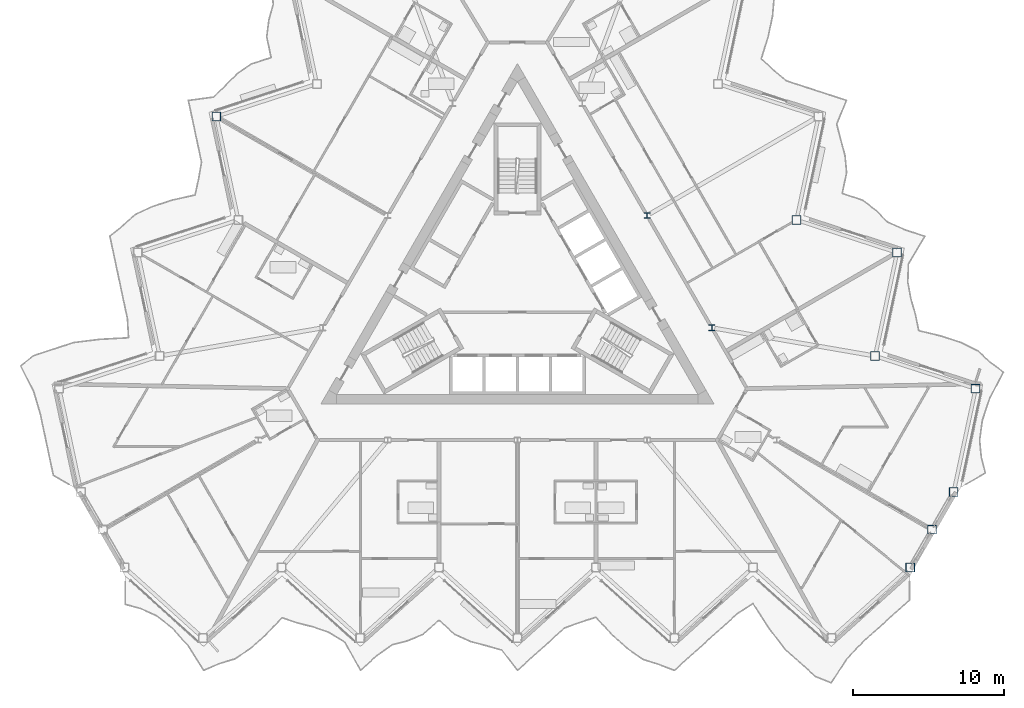
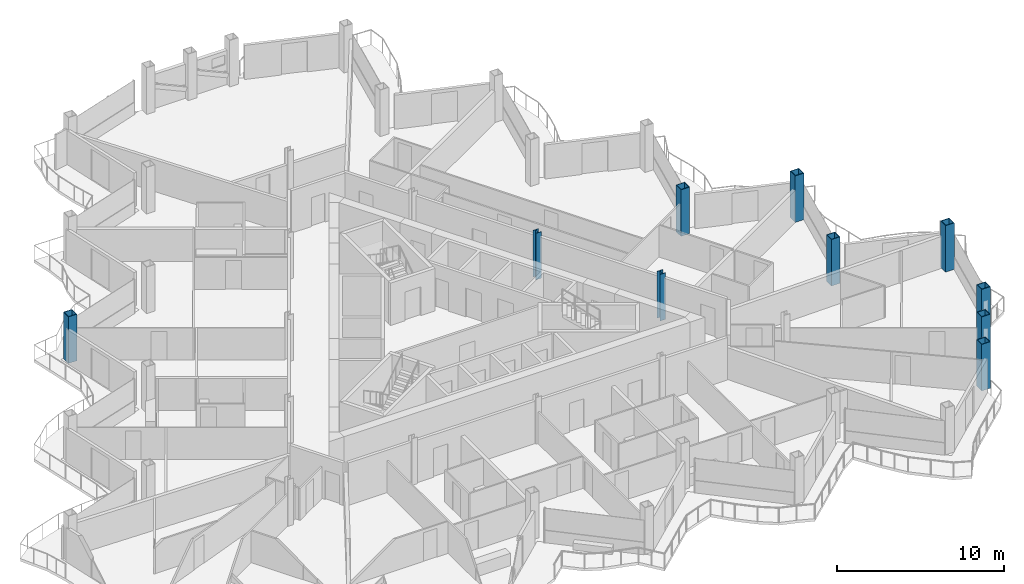
# One storey, part 2 of 27: 10 columns.
"""IFC4 building model written with IfcOpenShell, lengths in metres."""

import ifcopenshell
import ifcopenshell.guid

model = None  # the IFC model being written
_history = None  # IfcOwnerHistory: only IFC2X3 demands one
_inside = {}  # id of a spatial element -> (the spatial element, [elements in it])
_under = {}  # id of a project, library or spatial element -> (it, [spatial elements below it])
_declared = {}  # id of a project -> (the project, [libraries it declares])
_typed = {}  # id of a type object -> (the type object, [elements of that type])
_made_of = {}  # id of a material, layer set ... -> (it, [elements and type objects made of it])


def new_model(schema):
    """Start an empty IFC model of exactly this schema.

    Asked for "IFC4X3", IfcOpenShell would pick the latest addendum, in which some entities
    have other attributes; the version numbers below select the first issue.
    IFC2X3 requires an IfcOwnerHistory on every rooted entity: one is made here for all.
    """
    global model, _history
    if schema == "IFC4X3":
        model = ifcopenshell.file(schema_version=(4, 3, 0, 0))
    else:
        model = ifcopenshell.file(schema=schema)
    _inside.clear()
    _under.clear()
    _declared.clear()
    _typed.clear()
    _made_of.clear()
    _history = None
    if model.schema == "IFC2X3":
        org = make("IfcOrganization", Name="unknown")
        user = make(
            "IfcPersonAndOrganization",
            ThePerson=make("IfcPerson", FamilyName="unknown"),
            TheOrganization=org,
        )
        app = make(
            "IfcApplication",
            ApplicationDeveloper=org,
            Version="unknown",
            ApplicationFullName="unknown",
            ApplicationIdentifier="unknown",
        )
        _history = make(
            "IfcOwnerHistory",
            OwningUser=user,
            OwningApplication=app,
            ChangeAction="ADDED",
            CreationDate=0,
        )
    return model


def make(cls, **values):
    """One entity of the class cls with the attributes given. An attribute that is None is left unset."""
    return model.create_entity(
        cls, **{name: value for name, value in values.items() if value is not None}
    )


def rooted(cls, **values):
    """An entity with a GlobalId (a new one), such as an element, a storey or a relation."""
    return make(cls, GlobalId=ifcopenshell.guid.new(), OwnerHistory=_history, **values)


def si_unit(unit_type, name, prefix=None):
    """IfcSIUnit, for example si_unit("LENGTHUNIT", "METRE", prefix="MILLI")."""
    return make("IfcSIUnit", UnitType=unit_type, Prefix=prefix, Name=name)


def assignment(units):
    """IfcUnitAssignment: the units of a project."""
    return None if units is None else make("IfcUnitAssignment", Units=units)


def point(xyz):
    """IfcCartesianPoint."""
    return None if xyz is None else make("IfcCartesianPoint", Coordinates=xyz)


def direction(xyz):
    """IfcDirection."""
    return None if xyz is None else make("IfcDirection", DirectionRatios=xyz)


def frame(location, z_axis=None, x_axis=None):
    """IfcAxis2Placement3D, a coordinate frame: its origin and axes. An axis left out is left unset."""
    return make(
        "IfcAxis2Placement3D",
        Location=point(location),
        Axis=direction(z_axis),
        RefDirection=direction(x_axis),
    )


def frame_2d(location, x_axis=None):
    """IfcAxis2Placement2D, a coordinate frame in the plane: its origin and x axis."""
    return make(
        "IfcAxis2Placement2D", Location=point(location), RefDirection=direction(x_axis)
    )


def origin():
    """The frame at (0, 0, 0) with its axes left unset."""
    return frame((0.0, 0.0, 0.0))


def origin_2d():
    """The frame at (0, 0) in the plane with its x axis left unset."""
    return frame_2d((0.0, 0.0))


def place(relative_to, where):
    """IfcLocalPlacement: puts the frame where relative to a parent placement (None: the world)."""
    return make(
        "IfcLocalPlacement", PlacementRelTo=relative_to, RelativePlacement=where
    )


def context(
    kind, dimensions, precision=None, world=None, true_north=None, identifier=None
):
    """IfcGeometricRepresentationContext, for example the 3D "Model" context."""
    return make(
        "IfcGeometricRepresentationContext",
        ContextIdentifier=identifier,
        ContextType=kind,
        CoordinateSpaceDimension=dimensions,
        Precision=precision,
        WorldCoordinateSystem=world,
        TrueNorth=true_north,
    )


def subcontext(parent, identifier, kind, view, scale=None):
    """IfcGeometricRepresentationSubContext, for example "Body" below "Model"."""
    return make(
        "IfcGeometricRepresentationSubContext",
        ContextIdentifier=identifier,
        ContextType=kind,
        ParentContext=parent,
        TargetScale=scale,
        TargetView=view,
    )


def project(units=None, contexts=None):
    """IfcProject with its units and contexts."""
    return rooted(
        "IfcProject",
        Name="project",
        RepresentationContexts=contexts,
        UnitsInContext=assignment(units),
    )


def spatial(cls, under=None, at=None, **own):
    """A site, building, storey or space (cls), placed at a placement, below another one or the project."""
    s = rooted(cls, ObjectPlacement=at, **own)
    if under is not None:
        _under.setdefault(under.id(), (under, []))[1].append(s)
    return s


def profile(cls, at=None, kind="AREA", **sizes):
    """A parametric profile (cls). Its sizes go by their IFC names, for example OverallWidth=200.0."""
    return make(cls, ProfileType=kind, Position=at, **sizes)


def hollow_rectangle(**sizes):
    """IfcRectangleHollowProfileDef."""
    return profile("IfcRectangleHollowProfileDef", **sizes)


def i_section(**sizes):
    """IfcIShapeProfileDef."""
    return profile("IfcIShapeProfileDef", **sizes)


def extrude(swept, where, along, depth):
    """IfcExtrudedAreaSolid: the profile swept, set in the frame where, extruded along a direction by depth."""
    return make(
        "IfcExtrudedAreaSolid",
        SweptArea=swept,
        Position=where,
        ExtrudedDirection=direction(along),
        Depth=depth,
    )


def shape(context_of_items, identifier, shape_type, items):
    """IfcShapeRepresentation: the items that make up one representation, for example the "Body"."""
    return make(
        "IfcShapeRepresentation",
        ContextOfItems=context_of_items,
        RepresentationIdentifier=identifier,
        RepresentationType=shape_type,
        Items=items,
    )


def material(Name=None, Category=None):
    """IfcMaterial."""
    return make("IfcMaterial", Name=Name, Category=Category)


def material_profile(
    of_material, cross_section, Name=None, Category=None, Priority=None
):
    """IfcMaterialProfile: a cross section and its material."""
    return make(
        "IfcMaterialProfile",
        Name=Name,
        Material=of_material,
        Profile=cross_section,
        Priority=Priority,
        Category=Category,
    )


def profile_set(profiles, Name=None, composite=None):
    """IfcMaterialProfileSet."""
    return make(
        "IfcMaterialProfileSet",
        Name=Name,
        MaterialProfiles=profiles,
        CompositeProfile=composite,
    )


def made_of(thing, what):
    """Note that an element or type object is made of a material, layer set ...; save() writes the relation."""
    if what is not None:
        _made_of.setdefault(what.id(), (what, []))[1].append(thing)
    return thing


def type_object(cls, material=None, **own):
    """A type object (cls), such as IfcWallType, which elements share."""
    return made_of(rooted(cls, **own), material)


def element(
    cls,
    number,
    at=None,
    inside=None,
    cuts=None,
    type_object=None,
    material=None,
    context=None,
    identifier="Body",
    shape_type=None,
    held_by="IfcProductDefinitionShape",
    body=None,
    shapes=None,
    **own,
):
    """One element of the class cls, such as IfcWall. Its Tag is "e" and its number.

    at: its placement. inside: the storey or other place that contains it. cuts: it is an
    opening in that element (IfcRelVoidsElement). A single representation is given by context,
    identifier, shape_type and body (its items); several are given by shapes. held_by: the class
    of the entity that holds the representations. save() writes the other relations.
    """
    e = rooted(cls, Tag="e%d" % number, ObjectPlacement=at, **own)
    if body is not None:
        shapes = [shape(context, identifier, shape_type, body)]
    if shapes is not None:
        e.Representation = make(held_by, Representations=shapes)
    if inside is not None:
        _inside.setdefault(inside.id(), (inside, []))[1].append(e)
    if cuts is not None:
        rooted(
            "IfcRelVoidsElement", RelatingBuildingElement=cuts, RelatedOpeningElement=e
        )
    if type_object is not None:
        _typed.setdefault(type_object.id(), (type_object, []))[1].append(e)
    return made_of(e, material)


def aggregate(whole, parts):
    """IfcRelAggregates: a whole, such as a stair, and the parts it consists of."""
    return rooted("IfcRelAggregates", RelatingObject=whole, RelatedObjects=parts)


def save(model, path):
    """Write the relations noted so far, then the file.

    IfcRelAggregates (storeys below a building ...), IfcRelContainedInSpatialStructure (elements
    in a storey), IfcRelDefinesByType, IfcRelAssociatesMaterial and IfcRelDeclares: one each for
    every whole, place, type object, material and project.
    """
    for whole, parts in _under.values():
        aggregate(whole, parts)
    for where, things in _inside.values():
        rooted(
            "IfcRelContainedInSpatialStructure",
            RelatedElements=things,
            RelatingStructure=where,
        )
    for kind, things in _typed.values():
        rooted("IfcRelDefinesByType", RelatedObjects=things, RelatingType=kind)
    for what, things in _made_of.values():
        rooted("IfcRelAssociatesMaterial", RelatedObjects=things, RelatingMaterial=what)
    for by, libraries in _declared.values():
        rooted("IfcRelDeclares", RelatingContext=by, RelatedDefinitions=libraries)
    model.write(path)


model = new_model("IFC4")

# Units and contexts
model_context = context("Model", 3, precision=1e-05, world=origin(), true_north=direction((0.0, 1.0)))
body_context = subcontext(model_context, "Body", "Model", "MODEL_VIEW")
ifc_project = project(units=[si_unit("LENGTHUNIT", "METRE"), si_unit("AREAUNIT", "SQUARE_METRE"), si_unit("VOLUMEUNIT", "CUBIC_METRE"), si_unit("PLANEANGLEUNIT", "RADIAN"), si_unit("MASSUNIT", "GRAM", prefix="KILO")], contexts=[model_context])

# Site, building, storey
site_placement = place(None, origin())
site = spatial("IfcSite", under=ifc_project, at=site_placement, CompositionType="ELEMENT")
building_placement = place(site_placement, origin())
building = spatial("IfcBuilding", under=site, at=building_placement, Name="Cormorant Prow Tower", CompositionType="ELEMENT")
storey_placement = place(building_placement, frame((0.0, 0.0, 312.0)))
storey = spatial("IfcBuildingStorey", under=building, at=storey_placement, Name="L68", CompositionType="ELEMENT", Elevation=312.0)

# Columns
ifc_material_1 = material(Name="Structural steel ASTM A572 Gr 50", Category="steel")
ifc_material_profile_1 = material_profile(ifc_material_1, hollow_rectangle(XDim=0.60009765625, YDim=0.60009765625, WallThickness=0.0400390625, at=origin_2d()), Name="Box 600x600x40")
ifc_profile_set_1 = profile_set([ifc_material_profile_1], Name="Structural steel ASTM A572 Gr 50")
column_type_1 = type_object("IfcColumnType", Name="Perimeter box column 600x600x40", PredefinedType="COLUMN", material=ifc_profile_set_1)
for number, where, z_axis, x_axis, name in (
    (1, (25.995361328125, -18.326904296875, 0.0), (0.0, 0.0, 1.0), (1.0, 0.0, 0.0), "Perimeter column C6 at ESE00 L68"),
    (2, (27.432373046875, -15.838134765625, 0.0), (0.0, 0.0, 1.0), (1.0, 0.0, 0.0), "Perimeter column C6 at ESE01 L68"),
    (3, (28.869140625, -13.349365234375, 0.0), (0.0, 0.0, 1.0), (1.0, 0.0, 0.0), "Perimeter column C6 at ENE00 L68"),
    (4, (30.32373046875, -6.506103515625, 0.0), (0.0, 0.0, 1.0), (1.0, 0.0, 0.0), "Perimeter column C6 at ENE01 L68"),
    (5, (23.670166015625, -4.34423828125, 0.0), (0.0, 0.0, 1.0), (1.0, 0.0, 0.0), "Perimeter column C6 at ENE02 L68"),
    (6, (25.124755859375, 2.4990234375, 0.0), (0.0, 0.0, 1.0), (1.0, 0.0, 0.0), "Perimeter column C6 at ENE03 L68"),
    (7, (18.470947265625, 4.660888671875, 0.0), (0.0, 0.0, 1.0), (1.0, 0.0, 0.0), "Perimeter column C6 at ENE04 L68"),
    (8, (-19.925537109375, 11.504150390625, 0.0), (0.0, 0.0, 1.0), (1.0, 0.0, 0.0), "Perimeter column C6 at WNW05 L68"),
):
    element("IfcColumn", number, at=place(storey_placement, frame(where, z_axis=z_axis, x_axis=x_axis)), inside=storey, type_object=column_type_1, Name=name, PredefinedType="COLUMN", context=body_context, shape_type="SweptSolid", body=[
        extrude(hollow_rectangle(XDim=0.60009765625, YDim=0.60009765625, WallThickness=0.0400390625, at=origin_2d()), origin(), (0.0, 0.0, 1.0), 3.39990234375),
    ])
ifc_material_2 = material(Name="Structural steel ASTM A992 Gr 50", Category="steel")
ifc_material_profile_2 = material_profile(ifc_material_2, i_section(OverallWidth=0.3955078125, OverallDepth=0.380615234375, WebThickness=0.018798828125, FlangeThickness=0.0302734375, at=origin_2d()), Name="W14x159")
ifc_profile_set_2 = profile_set([ifc_material_profile_2], Name="Structural steel ASTM A992 Gr 50")
column_type_2 = type_object("IfcColumnType", Name="Ring column W14x159", PredefinedType="COLUMN", material=ifc_profile_set_2)
for number, where, z_axis, x_axis, name in (
    (9, (12.86767578125, -2.476318359375, 0.0), (0.0, 0.0, 1.0), (1.0, 0.0, 0.0), "Ring column 10 L68"),
    (10, (8.578369140625, 4.952880859375, 0.0), (0.0, 0.0, 1.0), (1.0, 0.0, 0.0), "Ring column 11 L68"),
):
    element("IfcColumn", number, at=place(storey_placement, frame(where, z_axis=z_axis, x_axis=x_axis)), inside=storey, type_object=column_type_2, Name=name, PredefinedType="COLUMN", context=body_context, shape_type="SweptSolid", body=[
        extrude(i_section(OverallWidth=0.3955078125, OverallDepth=0.380615234375, WebThickness=0.018798828125, FlangeThickness=0.0302734375, at=origin_2d()), origin(), (0.0, 0.0, 1.0), 3.39990234375),
    ])

save(model, "model.ifc")
